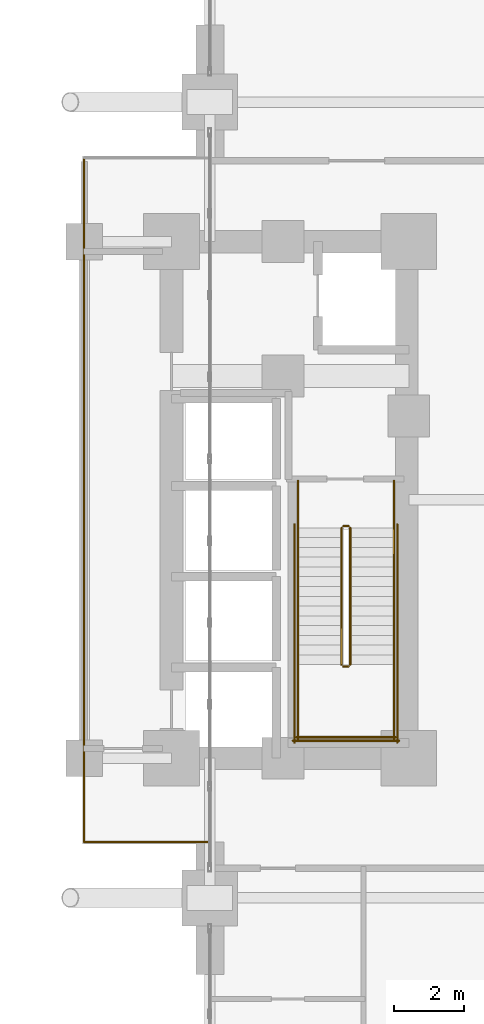
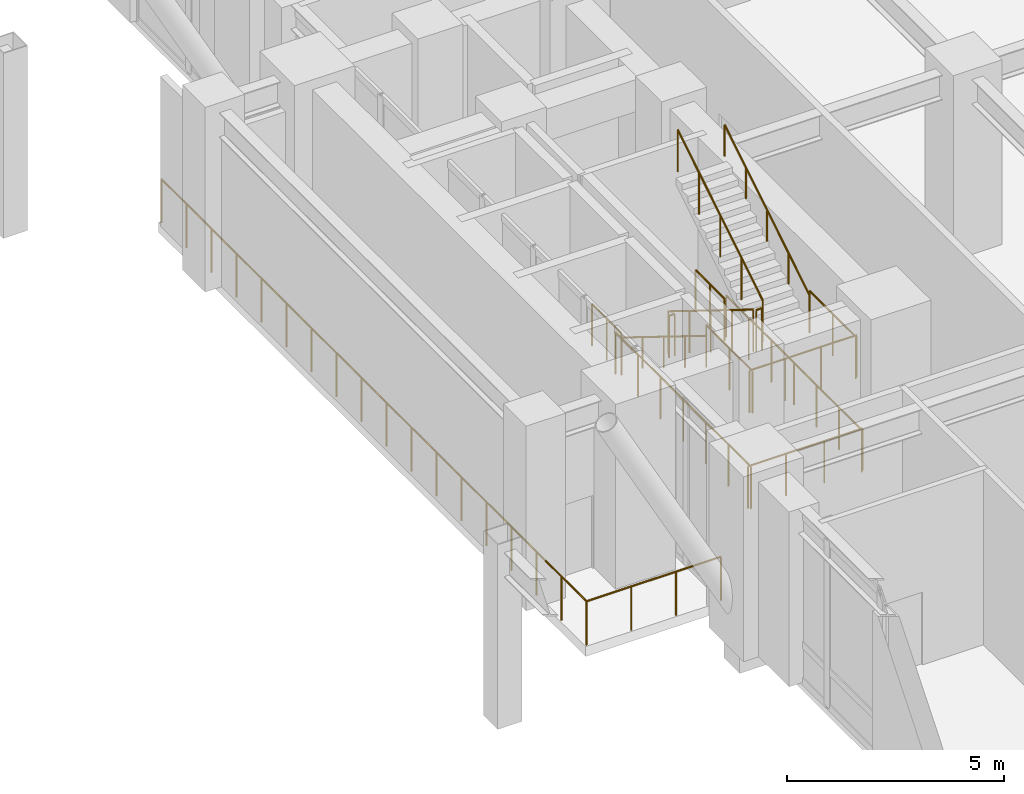
# One storey, part 25 of 27: 16 railings.
"""IFC4 building model written with IfcOpenShell, lengths in metres."""

from ifc_helpers import new_model, si_unit, direction, frame, origin, origin_2d, place, context, subcontext, project, spatial, circle, extrude, material, type_object, element, save


model = new_model("IFC4")

# Units and contexts
model_context = context("Model", 3, precision=1e-05, world=origin(), true_north=direction((0.0, 1.0)))
body_context = subcontext(model_context, "Body", "Model", "MODEL_VIEW")
ifc_project = project(units=[si_unit("LENGTHUNIT", "METRE"), si_unit("AREAUNIT", "SQUARE_METRE"), si_unit("VOLUMEUNIT", "CUBIC_METRE"), si_unit("PLANEANGLEUNIT", "RADIAN"), si_unit("MASSUNIT", "GRAM", prefix="KILO")], contexts=[model_context])

# Site, building, storey
site_placement = place(None, origin())
site = spatial("IfcSite", under=ifc_project, at=site_placement, CompositionType="ELEMENT")
building_placement = place(site_placement, origin())
building = spatial("IfcBuilding", under=site, at=building_placement, Name="Voryun Gate Residences", CompositionType="ELEMENT")
storey_placement = place(building_placement, frame((0.0, 0.0, 5.199951171875)))
storey = spatial("IfcBuildingStorey", under=building, at=storey_placement, Name="L01", CompositionType="ELEMENT", Elevation=5.199951171875)

# Railings
ifc_material_1 = material(Name="Painted steel", Category="steel")
railing_type_1 = type_object("IfcRailingType", Name="RAIL_STAIR_GUARD_1200", PredefinedType="GUARDRAIL", material=ifc_material_1)
railing_1_placement = place(storey_placement, frame((17.27490234375, -0.800048828125, 0.17333984375)))
element("IfcRailing", 1, at=railing_1_placement, inside=storey, type_object=railing_type_1, Name="L01 ST-E1 stair guard 1", PredefinedType="GUARDRAIL", context=body_context, shape_type="SweptSolid", body=[
    extrude(circle(Radius=0.02392578125, at=origin_2d()), frame((0.0, 0.0, 1.17578125), z_axis=(0.0, -0.850251603719, 0.526376491091), x_axis=(1.0, 0.0, 0.0)), (0.0, 0.0, 1.0), 4.6103515625),
    extrude(circle(Radius=0.02099609375, at=origin_2d()), origin(), (0.0, 0.0, 1.0), 1.15185546875),
    extrude(circle(Radius=0.02099609375, at=origin_2d()), frame((0.0, -0.97998046875, 0.606689453125)), (0.0, 0.0, 1.0), 1.15185546875),
    extrude(circle(Radius=0.02099609375, at=origin_2d()), frame((0.0, -1.9599609375, 1.21337890625)), (0.0, 0.0, 1.0), 1.15185546875),
    extrude(circle(Radius=0.02099609375, at=origin_2d()), frame((0.0, -2.93994140625, 1.820068359375)), (0.0, 0.0, 1.0), 1.15185546875),
    extrude(circle(Radius=0.02099609375, at=origin_2d()), frame((0.0, -3.919921875, 2.4267578125)), (0.0, 0.0, 1.0), 1.15185546875),
])
railing_2_placement = place(storey_placement, frame((17.324951171875, -4.77001953125, 2.60009765625)))
element("IfcRailing", 2, at=railing_2_placement, inside=storey, type_object=railing_type_1, Name="L01 ST-E1 stair guard 2", PredefinedType="GUARDRAIL", context=body_context, shape_type="SweptSolid", body=[
    extrude(circle(Radius=0.02392578125, at=origin_2d()), frame((0.0, 0.0, 1.17578125), z_axis=(1.0, 0.0, 0.0), x_axis=(0.0, 1.0, 0.0)), (0.0, 0.0, 1.0), 0.150146484375),
    extrude(circle(Radius=0.02099609375, at=origin_2d()), origin(), (0.0, 0.0, 1.0), 1.15185546875),
    extrude(circle(Radius=0.02099609375, at=origin_2d()), frame((0.150146484375, 0.0, 0.0)), (0.0, 0.0, 1.0), 1.15185546875),
])
for number, where, name in (
    (3, (16.02490234375, -4.719970703125, 2.60009765625), "L01 ST-E1 stair guard 3"),
    (4, (18.77490234375, -4.719970703125, 2.60009765625), "L01 ST-E1 stair guard 4"),
):
    element("IfcRailing", number, at=place(storey_placement, frame(where)), inside=storey, type_object=railing_type_1, Name=name, PredefinedType="GUARDRAIL", context=body_context, shape_type="SweptSolid", body=[
        extrude(circle(Radius=0.02392578125, at=origin_2d()), frame((0.0, 0.0, 1.17578125), z_axis=(0.0, -1.0, 0.0), x_axis=(1.0, 0.0, 0.0)), (0.0, 0.0, 1.0), 2.130126953125),
        extrude(circle(Radius=0.02099609375, at=origin_2d()), origin(), (0.0, 0.0, 1.0), 1.15185546875),
        extrude(circle(Radius=0.02099609375, at=origin_2d()), frame((0.0, -1.06494140625, 0.0)), (0.0, 0.0, 1.0), 1.15185546875),
        extrude(circle(Radius=0.02099609375, at=origin_2d()), frame((0.0, -2.130126953125, 0.0)), (0.0, 0.0, 1.0), 1.15185546875),
    ])
railing_3_placement = place(storey_placement, frame((15.97509765625, -6.800048828125, 2.60009765625)))
element("IfcRailing", 5, at=railing_3_placement, inside=storey, type_object=railing_type_1, Name="L01 ST-E1 stair guard 5", PredefinedType="GUARDRAIL", context=body_context, shape_type="SweptSolid", body=[
    extrude(circle(Radius=0.02392578125, at=origin_2d()), frame((0.0, 0.0, 1.17578125), z_axis=(1.0, 0.0, 0.0), x_axis=(0.0, 1.0, 0.0)), (0.0, 0.0, 1.0), 2.849853515625),
    extrude(circle(Radius=0.02099609375, at=origin_2d()), origin(), (0.0, 0.0, 1.0), 1.15185546875),
    extrude(circle(Radius=0.02099609375, at=origin_2d()), frame((0.949951171875, 0.0, 0.0)), (0.0, 0.0, 1.0), 1.15185546875),
    extrude(circle(Radius=0.02099609375, at=origin_2d()), frame((1.89990234375, 0.0, 0.0)), (0.0, 0.0, 1.0), 1.15185546875),
    extrude(circle(Radius=0.02099609375, at=origin_2d()), frame((2.849853515625, 0.0, 0.0)), (0.0, 0.0, 1.0), 1.15185546875),
])
railing_4_placement = place(storey_placement, frame((17.52490234375, -4.719970703125, 2.7734375)))
element("IfcRailing", 6, at=railing_4_placement, inside=storey, type_object=railing_type_1, Name="L01 ST-E1 stair guard 6", PredefinedType="GUARDRAIL", context=body_context, shape_type="SweptSolid", body=[
    extrude(circle(Radius=0.02392578125, at=origin_2d()), frame((0.0, 0.0, 1.17578125), z_axis=(0.0, 0.850275303828, 0.526338206574), x_axis=(-1.0, 0.0, 0.0)), (0.0, 0.0, 1.0), 4.610107421875),
    extrude(circle(Radius=0.02099609375, at=origin_2d()), origin(), (0.0, 0.0, 1.0), 1.15185546875),
    extrude(circle(Radius=0.02099609375, at=origin_2d()), frame((0.0, 0.97998046875, 0.606689453125)), (0.0, 0.0, 1.0), 1.15185546875),
    extrude(circle(Radius=0.02099609375, at=origin_2d()), frame((0.0, 1.9599609375, 1.21337890625)), (0.0, 0.0, 1.0), 1.15185546875),
    extrude(circle(Radius=0.02099609375, at=origin_2d()), frame((0.0, 2.93994140625, 1.81982421875)), (0.0, 0.0, 1.0), 1.15185546875),
    extrude(circle(Radius=0.02099609375, at=origin_2d()), frame((0.0, 3.919921875, 2.426513671875)), (0.0, 0.0, 1.0), 1.15185546875),
])
railing_5_placement = place(storey_placement, frame((17.324951171875, -0.75, 0.0)))
element("IfcRailing", 7, at=railing_5_placement, inside=storey, type_object=railing_type_1, Name="L01 ST-E1 stair guard 7", PredefinedType="GUARDRAIL", context=body_context, shape_type="SweptSolid", body=[
    extrude(circle(Radius=0.02392578125, at=origin_2d()), frame((0.0, 0.0, 1.17578125), z_axis=(1.0, 0.0, 0.0), x_axis=(0.0, 1.0, 0.0)), (0.0, 0.0, 1.0), 0.150146484375),
    extrude(circle(Radius=0.02099609375, at=origin_2d()), origin(), (0.0, 0.0, 1.0), 1.15185546875),
    extrude(circle(Radius=0.02099609375, at=origin_2d()), frame((0.150146484375, 0.0, 0.0)), (0.0, 0.0, 1.0), 1.15185546875),
])
for number, where, name in (
    (8, (16.02490234375, 0.550048828125, 0.0), "L01 ST-E1 stair guard 8"),
    (9, (18.77490234375, 0.550048828125, 0.0), "L01 ST-E1 stair guard 9"),
):
    element("IfcRailing", number, at=place(storey_placement, frame(where)), inside=storey, type_object=railing_type_1, Name=name, PredefinedType="GUARDRAIL", context=body_context, shape_type="SweptSolid", body=[
        extrude(circle(Radius=0.02392578125, at=origin_2d()), frame((0.0, 0.0, 1.17578125), z_axis=(0.0, -1.0, 0.0), x_axis=(1.0, 0.0, 0.0)), (0.0, 0.0, 1.0), 1.35009765625),
        extrude(circle(Radius=0.02099609375, at=origin_2d()), origin(), (0.0, 0.0, 1.0), 1.15185546875),
        extrude(circle(Radius=0.02099609375, at=origin_2d()), frame((0.0, -0.675048828125, 0.0)), (0.0, 0.0, 1.0), 1.15185546875),
        extrude(circle(Radius=0.02099609375, at=origin_2d()), frame((0.0, -1.35009765625, 0.0)), (0.0, 0.0, 1.0), 1.15185546875),
    ])
for number, where, name in (
    (10, (15.925048828125, -0.699951171875, 0.0), "L01 ST-E1 stair guard 10"),
    (11, (18.875, -0.699951171875, 0.0), "L01 ST-E1 stair guard 11"),
):
    element("IfcRailing", number, at=place(storey_placement, frame(where)), inside=storey, type_object=railing_type_1, Name=name, PredefinedType="GUARDRAIL", context=body_context, shape_type="SweptSolid", body=[
        extrude(circle(Radius=0.02392578125, at=origin_2d()), frame((0.0, 0.0, 1.17578125), z_axis=(0.0, -1.0, 0.0), x_axis=(1.0, 0.0, 0.0)), (0.0, 0.0, 1.0), 6.25),
        extrude(circle(Radius=0.02099609375, at=origin_2d()), origin(), (0.0, 0.0, 1.0), 1.15185546875),
        extrude(circle(Radius=0.02099609375, at=origin_2d()), frame((0.0, -1.041748046875, 0.0)), (0.0, 0.0, 1.0), 1.15185546875),
        extrude(circle(Radius=0.02099609375, at=origin_2d()), frame((0.0, -2.083251953125, 0.0)), (0.0, 0.0, 1.0), 1.15185546875),
        extrude(circle(Radius=0.02099609375, at=origin_2d()), frame((0.0, -3.125, 0.0)), (0.0, 0.0, 1.0), 1.15185546875),
        extrude(circle(Radius=0.02099609375, at=origin_2d()), frame((0.0, -4.166748046875, 0.0)), (0.0, 0.0, 1.0), 1.15185546875),
        extrude(circle(Radius=0.02099609375, at=origin_2d()), frame((0.0, -5.208251953125, 0.0)), (0.0, 0.0, 1.0), 1.15185546875),
        extrude(circle(Radius=0.02099609375, at=origin_2d()), frame((0.0, -6.25, 0.0)), (0.0, 0.0, 1.0), 1.15185546875),
    ])
railing_6_placement = place(storey_placement, frame((15.875, -6.89990234375, 0.0)))
element("IfcRailing", 12, at=railing_6_placement, inside=storey, type_object=railing_type_1, Name="L01 ST-E1 stair guard 12", PredefinedType="GUARDRAIL", context=body_context, shape_type="SweptSolid", body=[
    extrude(circle(Radius=0.02392578125, at=origin_2d()), frame((0.0, 0.0, 1.17578125), z_axis=(1.0, 0.0, 0.0), x_axis=(0.0, 1.0, 0.0)), (0.0, 0.0, 1.0), 3.050048828125),
    extrude(circle(Radius=0.02099609375, at=origin_2d()), origin(), (0.0, 0.0, 1.0), 1.15185546875),
    extrude(circle(Radius=0.02099609375, at=origin_2d()), frame((1.0166015625, 0.0, 0.0)), (0.0, 0.0, 1.0), 1.15185546875),
    extrude(circle(Radius=0.02099609375, at=origin_2d()), frame((2.033447265625, 0.0, 0.0)), (0.0, 0.0, 1.0), 1.15185546875),
    extrude(circle(Radius=0.02099609375, at=origin_2d()), frame((3.050048828125, 0.0, 0.0)), (0.0, 0.0, 1.0), 1.15185546875),
])
ifc_material_2 = material(Name="Painted steel", Category="steel")
railing_type_2 = type_object("IfcRailingType", Name="RAIL_STAIR_HANDRAIL_900", PredefinedType="HANDRAIL", material=ifc_material_2)
railing_7_placement = place(storey_placement, frame((16.02490234375, -0.800048828125, 0.17333984375)))
element("IfcRailing", 13, at=railing_7_placement, inside=storey, type_object=railing_type_2, Name="L01 ST-E1 stair handrail 1", PredefinedType="HANDRAIL", context=body_context, shape_type="SweptSolid", body=[
    extrude(circle(Radius=0.02392578125, at=origin_2d()), frame((0.0, 0.0, 0.8759765625), z_axis=(0.0, -0.850251603719, 0.526376491091), x_axis=(1.0, 0.0, 0.0)), (0.0, 0.0, 1.0), 4.6103515625),
    extrude(circle(Radius=0.02099609375, at=origin_2d()), origin(), (0.0, 0.0, 1.0), 0.851806640625),
    extrude(circle(Radius=0.02099609375, at=origin_2d()), frame((0.0, -0.97998046875, 0.606689453125)), (0.0, 0.0, 1.0), 0.851806640625),
    extrude(circle(Radius=0.02099609375, at=origin_2d()), frame((0.0, -1.9599609375, 1.21337890625)), (0.0, 0.0, 1.0), 0.851806640625),
    extrude(circle(Radius=0.02099609375, at=origin_2d()), frame((0.0, -2.93994140625, 1.820068359375)), (0.0, 0.0, 1.0), 0.851806640625),
    extrude(circle(Radius=0.02099609375, at=origin_2d()), frame((0.0, -3.919921875, 2.4267578125)), (0.0, 0.0, 1.0), 0.851806640625),
])
railing_8_placement = place(storey_placement, frame((18.77490234375, -4.719970703125, 2.7734375)))
element("IfcRailing", 14, at=railing_8_placement, inside=storey, type_object=railing_type_2, Name="L01 ST-E1 stair handrail 2", PredefinedType="HANDRAIL", context=body_context, shape_type="SweptSolid", body=[
    extrude(circle(Radius=0.02392578125, at=origin_2d()), frame((0.0, 0.0, 0.8759765625), z_axis=(0.0, 0.850275303828, 0.526338206574), x_axis=(-1.0, 0.0, 0.0)), (0.0, 0.0, 1.0), 4.610107421875),
    extrude(circle(Radius=0.02099609375, at=origin_2d()), origin(), (0.0, 0.0, 1.0), 0.851806640625),
    extrude(circle(Radius=0.02099609375, at=origin_2d()), frame((0.0, 0.97998046875, 0.606689453125)), (0.0, 0.0, 1.0), 0.851806640625),
    extrude(circle(Radius=0.02099609375, at=origin_2d()), frame((0.0, 1.9599609375, 1.21337890625)), (0.0, 0.0, 1.0), 0.851806640625),
    extrude(circle(Radius=0.02099609375, at=origin_2d()), frame((0.0, 2.93994140625, 1.81982421875)), (0.0, 0.0, 1.0), 0.851806640625),
    extrude(circle(Radius=0.02099609375, at=origin_2d()), frame((0.0, 3.919921875, 2.426513671875)), (0.0, 0.0, 1.0), 0.851806640625),
])
ifc_material_3 = material(Name="Anodised aluminium", Category="aluminium")
railing_type_3 = type_object("IfcRailingType", Name="RAIL_TERRACE_GUARD_1250", PredefinedType="GUARDRAIL", material=ifc_material_3)
railing_9_placement = place(storey_placement, frame((13.47998046875, -9.800048828125, 0.0)))
element("IfcRailing", 15, at=railing_9_placement, inside=storey, type_object=railing_type_3, Name="Terrace guard RL-L01-ARCH-E-01", PredefinedType="GUARDRAIL", context=body_context, shape_type="SweptSolid", body=[
    extrude(circle(Radius=0.02392578125, at=origin_2d()), frame((0.0, 0.0, 1.22607421875), z_axis=(-1.0, 0.0, 0.0), x_axis=(0.0, -1.0, 0.0)), (0.0, 0.0, 1.0), 3.580078125),
    extrude(circle(Radius=0.02099609375, at=origin_2d()), origin(), (0.0, 0.0, 1.0), 1.201904296875),
    extrude(circle(Radius=0.02099609375, at=origin_2d()), frame((-1.193359375, 0.0, 0.0)), (0.0, 0.0, 1.0), 1.201904296875),
    extrude(circle(Radius=0.02099609375, at=origin_2d()), frame((-2.38671875, 0.0, 0.0)), (0.0, 0.0, 1.0), 1.201904296875),
    extrude(circle(Radius=0.02099609375, at=origin_2d()), frame((-3.580078125, 0.0, 0.0)), (0.0, 0.0, 1.0), 1.201904296875),
])
railing_10_placement = place(storey_placement, frame((9.89990234375, -9.800048828125, 0.0)))
element("IfcRailing", 16, at=railing_10_placement, inside=storey, type_object=railing_type_3, Name="Terrace guard RL-L01-ARCH-E-02", PredefinedType="GUARDRAIL", context=body_context, shape_type="SweptSolid", body=[
    extrude(circle(Radius=0.02392578125, at=origin_2d()), frame((0.0, 0.0, 1.22607421875), z_axis=(0.0, 1.0, 0.0), x_axis=(-1.0, 0.0, 0.0)), (0.0, 0.0, 1.0), 19.60009765625),
    extrude(circle(Radius=0.02099609375, at=origin_2d()), origin(), (0.0, 0.0, 1.0), 1.201904296875),
    extrude(circle(Radius=0.02099609375, at=origin_2d()), frame((0.0, 1.15283203125, 0.0)), (0.0, 0.0, 1.0), 1.201904296875),
    extrude(circle(Radius=0.02099609375, at=origin_2d()), frame((0.0, 2.305908203125, 0.0)), (0.0, 0.0, 1.0), 1.201904296875),
    extrude(circle(Radius=0.02099609375, at=origin_2d()), frame((0.0, 3.458740234375, 0.0)), (0.0, 0.0, 1.0), 1.201904296875),
    extrude(circle(Radius=0.02099609375, at=origin_2d()), frame((0.0, 4.61181640625, 0.0)), (0.0, 0.0, 1.0), 1.201904296875),
    extrude(circle(Radius=0.02099609375, at=origin_2d()), frame((0.0, 5.7646484375, 0.0)), (0.0, 0.0, 1.0), 1.201904296875),
    extrude(circle(Radius=0.02099609375, at=origin_2d()), frame((0.0, 6.917724609375, 0.0)), (0.0, 0.0, 1.0), 1.201904296875),
    extrude(circle(Radius=0.02099609375, at=origin_2d()), frame((0.0, 8.070556640625, 0.0)), (0.0, 0.0, 1.0), 1.201904296875),
    extrude(circle(Radius=0.02099609375, at=origin_2d()), frame((0.0, 9.2236328125, 0.0)), (0.0, 0.0, 1.0), 1.201904296875),
    extrude(circle(Radius=0.02099609375, at=origin_2d()), frame((0.0, 10.37646484375, 0.0)), (0.0, 0.0, 1.0), 1.201904296875),
    extrude(circle(Radius=0.02099609375, at=origin_2d()), frame((0.0, 11.529541015625, 0.0)), (0.0, 0.0, 1.0), 1.201904296875),
    extrude(circle(Radius=0.02099609375, at=origin_2d()), frame((0.0, 12.682373046875, 0.0)), (0.0, 0.0, 1.0), 1.201904296875),
    extrude(circle(Radius=0.02099609375, at=origin_2d()), frame((0.0, 13.83544921875, 0.0)), (0.0, 0.0, 1.0), 1.201904296875),
    extrude(circle(Radius=0.02099609375, at=origin_2d()), frame((0.0, 14.98828125, 0.0)), (0.0, 0.0, 1.0), 1.201904296875),
    extrude(circle(Radius=0.02099609375, at=origin_2d()), frame((0.0, 16.141357421875, 0.0)), (0.0, 0.0, 1.0), 1.201904296875),
    extrude(circle(Radius=0.02099609375, at=origin_2d()), frame((0.0, 17.294189453125, 0.0)), (0.0, 0.0, 1.0), 1.201904296875),
    extrude(circle(Radius=0.02099609375, at=origin_2d()), frame((0.0, 18.447265625, 0.0)), (0.0, 0.0, 1.0), 1.201904296875),
    extrude(circle(Radius=0.02099609375, at=origin_2d()), frame((0.0, 19.60009765625, 0.0)), (0.0, 0.0, 1.0), 1.201904296875),
])

save(model, "model.ifc")
